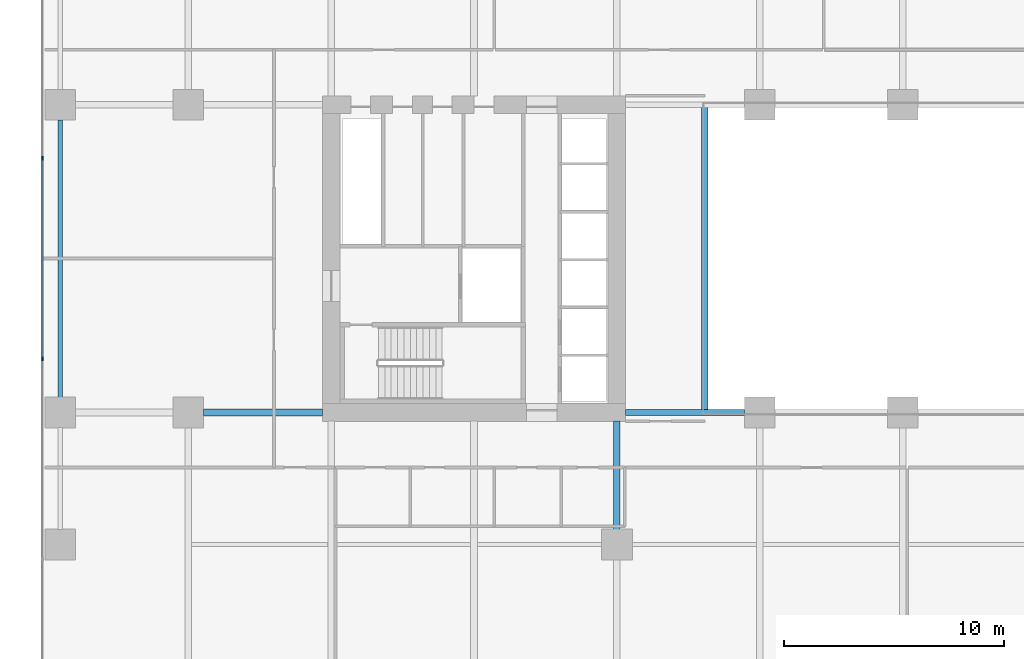
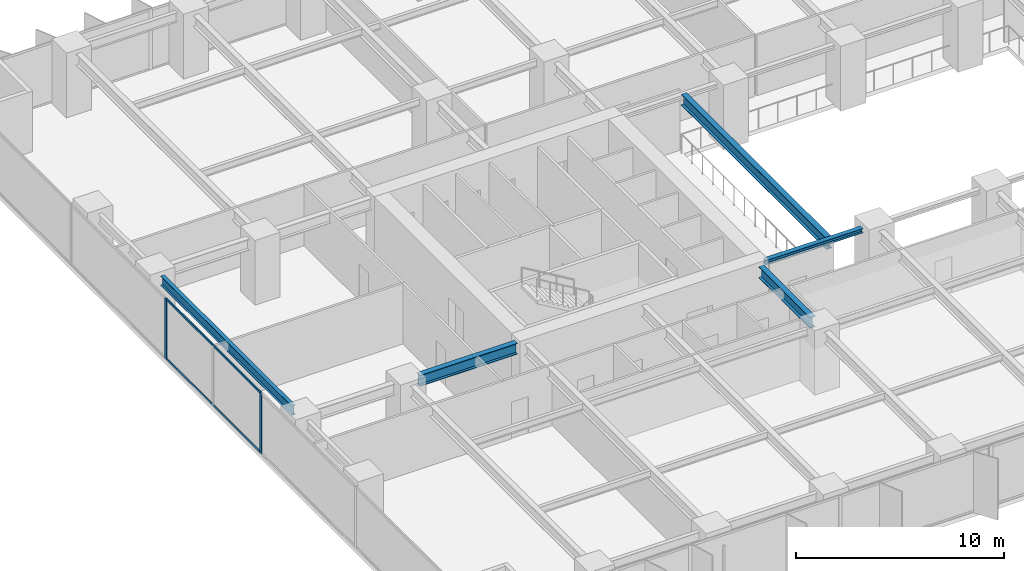
# One storey, part 4 of 21: 5 beams, 4 members, 1 element without a shape of its own.
"""IFC4 building model written with IfcOpenShell, lengths in metres."""

from ifc_helpers import new_model, si_unit, direction, frame, origin, origin_2d, place, context, subcontext, project, spatial, rectangle, i_section, extrude, material, layer, layer_set, material_profile, profile_set, type_object, element, aggregate, save


model = new_model("IFC4")

# Units and contexts
model_context = context("Model", 3, precision=1e-05, world=origin(), true_north=direction((0.0, 1.0)))
body_context = subcontext(model_context, "Body", "Model", "MODEL_VIEW")
ifc_project = project(units=[si_unit("LENGTHUNIT", "METRE"), si_unit("AREAUNIT", "SQUARE_METRE"), si_unit("VOLUMEUNIT", "CUBIC_METRE"), si_unit("PLANEANGLEUNIT", "RADIAN"), si_unit("MASSUNIT", "GRAM", prefix="KILO")], contexts=[model_context])

# Site, building, storey
site_placement = place(None, origin())
site = spatial("IfcSite", under=ifc_project, at=site_placement, CompositionType="ELEMENT")
building_placement = place(site_placement, origin())
building = spatial("IfcBuilding", under=site, at=building_placement, Name="Putna Gate Headquarters", CompositionType="ELEMENT")
storey_placement = place(building_placement, frame((0.0, 0.0, 39.199951171875)))
storey = spatial("IfcBuildingStorey", under=building, at=storey_placement, Name="L08", CompositionType="ELEMENT", Elevation=39.199951171875)

# Beams
ifc_material_1 = material(Name="Steel S355J2", Category="steel")
ifc_material_profile_1 = material_profile(ifc_material_1, i_section(OverallWidth=0.260009765625, OverallDepth=0.260009765625, WebThickness=0.010009765625, FlangeThickness=0.017578125, at=origin_2d()), Name="Steel S355J2")
ifc_profile_set_1 = profile_set([ifc_material_profile_1], Name="Steel S355J2")
beam_type_1 = type_object("IfcBeamType", Name="BM-ATRIUM-HEB260", PredefinedType="BEAM", material=ifc_profile_set_1)
beam_1_placement = place(storey_placement, frame((26.385009765625, 19.0, 3.420166015625), z_axis=(1.0, 0.0, 0.0), x_axis=(0.0, 1.0, 0.0)))
element("IfcBeam", 1, at=beam_1_placement, inside=storey, type_object=beam_type_1, Name="L08 Atrium Edge Beam AS1", PredefinedType="BEAM", context=body_context, shape_type="SweptSolid", body=[
    extrude(i_section(OverallWidth=0.260009765625, OverallDepth=0.260009765625, WebThickness=0.010009765625, FlangeThickness=0.017578125, at=origin_2d()), origin(), (0.0, 0.0, 1.0), 5.427001953125),
])
ifc_material_profile_2 = material_profile(ifc_material_1, i_section(OverallWidth=0.300048828125, OverallDepth=0.64990234375, WebThickness=0.01611328125, FlangeThickness=0.031005859375, at=origin_2d()), Name="Steel S355J2")
ifc_profile_set_2 = profile_set([ifc_material_profile_2], Name="Steel S355J2")
beam_type_2 = type_object("IfcBeamType", Name="BM-GIRD-Z1-HEB650", PredefinedType="USERDEFINED", material=ifc_profile_set_2)
beam_2_placement = place(storey_placement, frame((7.18798828125, 19.0, 3.22509765625), z_axis=(1.0, 0.0, 0.0), x_axis=(0.0, 1.0, 0.0)))
element("IfcBeam", 2, at=beam_2_placement, inside=storey, type_object=beam_type_2, Name="L08 West Wing Girder Y19-2", ObjectType="GIRDER", PredefinedType="USERDEFINED", context=body_context, shape_type="SweptSolid", body=[
    extrude(i_section(OverallWidth=0.300048828125, OverallDepth=0.64990234375, WebThickness=0.01611328125, FlangeThickness=0.031005859375, at=origin_2d()), origin(), (0.0, 0.0, 1.0), 5.427001953125),
])
beam_3_placement = place(storey_placement, frame((26.0, 13.68798828125, 3.22509765625), z_axis=(0.0, 1.0, 0.0), x_axis=(-1.0, 0.0, 0.0)))
element("IfcBeam", 3, at=beam_3_placement, inside=storey, type_object=beam_type_2, Name="L08 South Primary Girder X26-2", ObjectType="GIRDER", PredefinedType="USERDEFINED", context=body_context, shape_type="SweptSolid", body=[
    extrude(i_section(OverallWidth=0.300048828125, OverallDepth=0.64990234375, WebThickness=0.01611328125, FlangeThickness=0.031005859375, at=origin_2d()), origin(), (0.0, 0.0, 1.0), 4.927001953125),
])
beam_4_placement = place(storey_placement, frame((30.0, 19.010009765625, 3.22509765625), z_axis=(0.0, 1.0, 0.0), x_axis=(-1.0, 0.0, 0.0)))
element("IfcBeam", 4, at=beam_4_placement, inside=storey, type_object=beam_type_2, Name="L08 Atrium Trim Girder AW", ObjectType="GIRDER", PredefinedType="USERDEFINED", context=body_context, shape_type="SweptSolid", body=[
    extrude(i_section(OverallWidth=0.300048828125, OverallDepth=0.64990234375, WebThickness=0.01611328125, FlangeThickness=0.031005859375, at=origin_2d()), origin(), (0.0, 0.0, 1.0), 13.97998046875),
])
ifc_material_profile_3 = material_profile(ifc_material_1, i_section(OverallWidth=0.2099609375, OverallDepth=0.550048828125, WebThickness=0.010986328125, FlangeThickness=0.01708984375, at=origin_2d()), Name="Steel S355J2")
ifc_profile_set_3 = profile_set([ifc_material_profile_3], Name="Steel S355J2")
beam_type_3 = type_object("IfcBeamType", Name="BM-SPAN-Z1-IPE550", PredefinedType="SPANDREL", material=ifc_profile_set_3)
beam_5_placement = place(storey_placement, frame((0.679931640625, 19.68798828125, 3.275146484375), z_axis=(0.0, 1.0, 0.0), x_axis=(-1.0, 0.0, 0.0)))
element("IfcBeam", 5, at=beam_5_placement, inside=storey, type_object=beam_type_3, Name="L08 W End Spandrel 2", PredefinedType="SPANDREL", context=body_context, shape_type="SweptSolid", body=[
    extrude(i_section(OverallWidth=0.2099609375, OverallDepth=0.550048828125, WebThickness=0.010986328125, FlangeThickness=0.01708984375, at=origin_2d()), origin(), (0.0, 0.0, 1.0), 12.6240234375),
])

# Curtain wall, members
ifc_material_2 = material(Name="Anodised bronze aluminium curtain wall", Category="aluminium")
ifc_layer = layer(ifc_material_2, 0.179931640625)
ifc_layer_set = layer_set([ifc_layer], Name="Anodised bronze aluminium curtain wall")
curtain_wall_type = type_object("IfcCurtainWallType", Name="CW-SYS-Z1", PredefinedType="USERDEFINED", material=ifc_layer_set)
curtain_wall_placement = place(storey_placement, origin())
curtain_wall = element("IfcCurtainWall", 6, at=curtain_wall_placement, inside=storey, type_object=curtain_wall_type, Name="L08 West Curtain Wall", ObjectType="STICK CURTAIN WALL", PredefinedType="USERDEFINED")
ifc_material_3 = material(Name="Anodised bronze aluminium EN AW-6060", Category="aluminium")
ifc_material_profile_4 = material_profile(ifc_material_3, rectangle(XDim=0.070068359375, YDim=0.179931640625, at=origin_2d()), Name="Anodised bronze aluminium EN AW-6060")
ifc_profile_set_4 = profile_set([ifc_material_profile_4], Name="Anodised bronze aluminium EN AW-6060")
member_type_1 = type_object("IfcMemberType", Name="MULL-CWM-1", PredefinedType="MULLION", material=ifc_profile_set_4)
member_1_placement = place(storey_placement, frame((-0.1201171875, 21.43994140625, 0.0), z_axis=(0.0, 0.0, 1.0), x_axis=(-1.0, 0.0, 0.0)))
member_1 = element("IfcMember", 7, at=member_1_placement, type_object=member_type_1, Name="CWS-1 mullion 3", PredefinedType="MULLION", context=body_context, shape_type="SweptSolid", body=[
    extrude(rectangle(XDim=0.070068359375, YDim=0.179931640625, at=origin_2d()), origin(), (0.0, 0.0, 1.0), 3.550048828125),
])
member_2_placement = place(storey_placement, frame((-0.1201171875, 30.56005859375, 0.0), z_axis=(0.0, 0.0, 1.0), x_axis=(-1.0, 0.0, 0.0)))
member_2 = element("IfcMember", 8, at=member_2_placement, type_object=member_type_1, Name="CWS-1 mullion 4", PredefinedType="MULLION", context=body_context, shape_type="SweptSolid", body=[
    extrude(rectangle(XDim=0.070068359375, YDim=0.179931640625, at=origin_2d()), origin(), (0.0, 0.0, 1.0), 3.550048828125),
])
ifc_material_profile_5 = material_profile(ifc_material_3, rectangle(XDim=0.06494140625, YDim=0.1201171875, at=origin_2d()), Name="Anodised bronze aluminium EN AW-6060")
ifc_profile_set_5 = profile_set([ifc_material_profile_5], Name="Anodised bronze aluminium EN AW-6060")
member_type_2 = type_object("IfcMemberType", Name="TRAN-CWT-1", PredefinedType="USERDEFINED", material=ifc_profile_set_5)
member_3_placement = place(storey_placement, frame((-0.1201171875, 21.47509765625, 0.032470703125), z_axis=(0.0, 1.0, 0.0), x_axis=(-1.0, 0.0, 0.0)))
member_3 = element("IfcMember", 9, at=member_3_placement, type_object=member_type_2, Name="CWS-1 transom 3.1", ObjectType="TRANSOM", PredefinedType="USERDEFINED", context=body_context, shape_type="SweptSolid", body=[
    extrude(rectangle(XDim=0.06494140625, YDim=0.1201171875, at=origin_2d()), origin(), (0.0, 0.0, 1.0), 9.0498046875),
])
member_4_placement = place(storey_placement, frame((-0.1201171875, 21.47509765625, 3.517578125), z_axis=(0.0, 1.0, 0.0), x_axis=(-1.0, 0.0, 0.0)))
member_4 = element("IfcMember", 10, at=member_4_placement, type_object=member_type_2, Name="CWS-1 transom 3.2", ObjectType="TRANSOM", PredefinedType="USERDEFINED", context=body_context, shape_type="SweptSolid", body=[
    extrude(rectangle(XDim=0.06494140625, YDim=0.1201171875, at=origin_2d()), origin(), (0.0, 0.0, 1.0), 9.0498046875),
])
aggregate(curtain_wall, [member_1, member_2, member_3, member_4])

save(model, "model.ifc")
